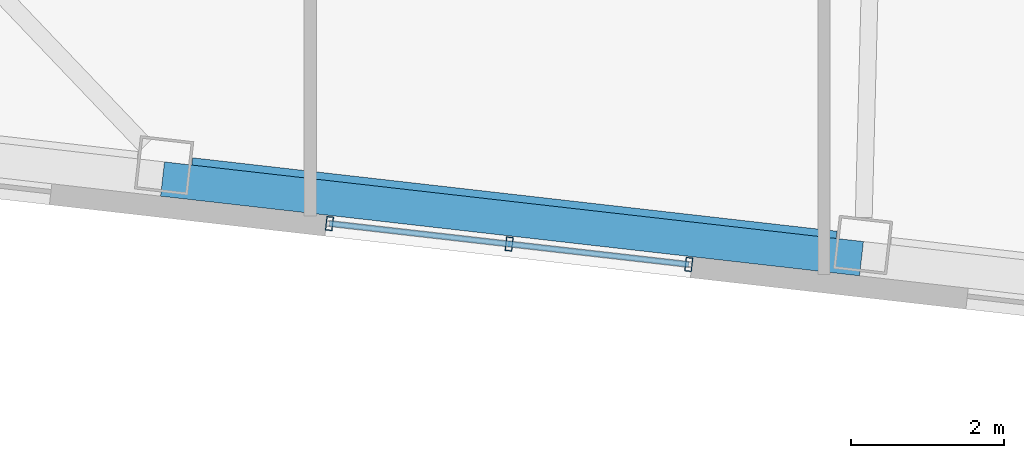
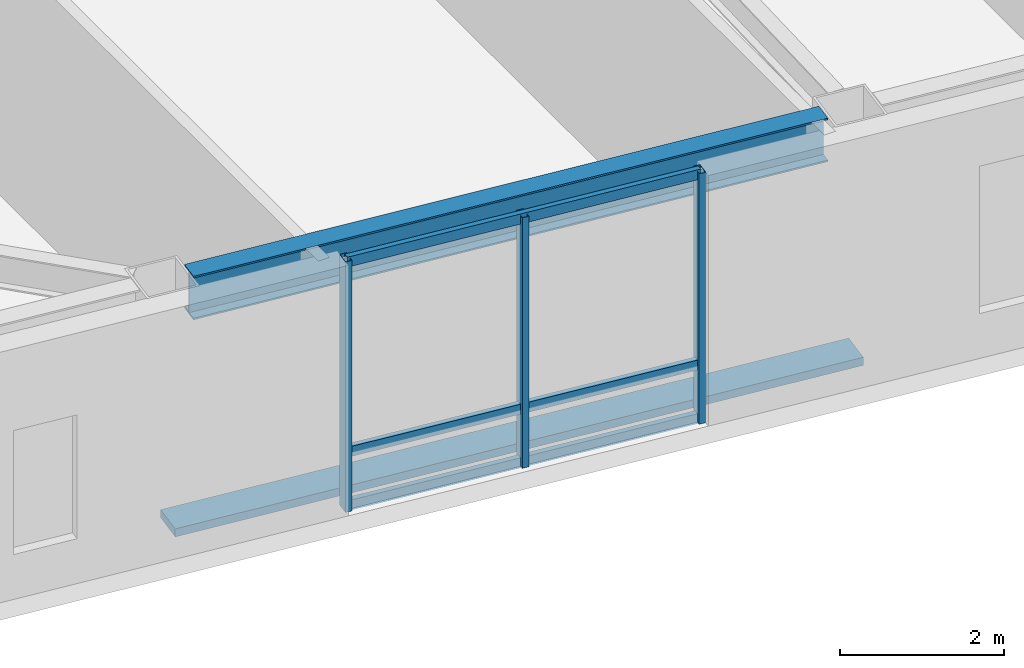
# One storey, part 2 of 21: 7 members, 1 beam, 1 element without a shape of its own.
"""IFC4 building model written with IfcOpenShell, lengths in metres."""

from ifc_helpers import new_model, si_unit, direction, frame, origin, origin_2d, place, context, subcontext, project, spatial, rectangle, hollow_rectangle, i_section, extrude, material, layer, layer_set, material_profile, profile_set, type_object, element, aggregate, save


model = new_model("IFC4")

# Units and contexts
model_context = context("Model", 3, precision=1e-05, world=origin(), true_north=direction((0.0, 1.0)))
body_context = subcontext(model_context, "Body", "Model", "MODEL_VIEW")
ifc_project = project(units=[si_unit("LENGTHUNIT", "METRE"), si_unit("AREAUNIT", "SQUARE_METRE"), si_unit("VOLUMEUNIT", "CUBIC_METRE"), si_unit("PLANEANGLEUNIT", "RADIAN"), si_unit("MASSUNIT", "GRAM", prefix="KILO")], contexts=[model_context])

# Site, building, storey
site_placement = place(None, origin())
site = spatial("IfcSite", under=ifc_project, at=site_placement, CompositionType="ELEMENT")
building_placement = place(site_placement, origin())
building = spatial("IfcBuilding", under=site, at=building_placement, Name="Tavrogorsk Clinical Tower", CompositionType="ELEMENT")
storey_placement = place(building_placement, frame((0.0, 0.0, 137.39990234375)))
storey = spatial("IfcBuildingStorey", under=building, at=storey_placement, Name="L31", CompositionType="ELEMENT", Elevation=137.39990234375)

# Member
ifc_material_1 = material(Name="Anodised aluminium alloy AW-6063", Category="aluminium")
ifc_material_profile_1 = material_profile(ifc_material_1, rectangle(XDim=0.449951171875, YDim=0.1201171875, at=origin_2d()), Name="ALU-SUNSHADE-450x120")
ifc_profile_set_1 = profile_set([ifc_material_profile_1], Name="Anodised aluminium alloy AW-6063")
member_type_1 = type_object("IfcMemberType", Name="ChicagoSunshade_450x120", PredefinedType="USERDEFINED", material=ifc_profile_set_1)
member_1_placement = place(storey_placement, frame((-14.028076171875, -24.385498046875, 0.18017578125), z_axis=(0.993572654864, -0.113196199166, 0.0), x_axis=(0.113196199166, 0.993572654864, 0.0)))
element("IfcMember", 1, at=member_1_placement, inside=storey, type_object=member_type_1, Name="L31 South Aluminium Sunshade S3", ObjectType="SUNSHADE", PredefinedType="USERDEFINED", context=body_context, shape_type="SweptSolid", body=[
    extrude(rectangle(XDim=0.449951171875, YDim=0.1201171875, at=origin_2d()), origin(), (0.0, 0.0, 1.0), 9.17724609375),
])

# Curtain wall, members
ifc_material_2 = material(Name="Anodised aluminium and triple IGU glazing", Category="aluminium")
ifc_layer = layer(ifc_material_2, 0.179931640625)
ifc_layer_set = layer_set([ifc_layer], Name="Anodised aluminium and triple IGU glazing")
curtain_wall_type = type_object("IfcCurtainWallType", Name="CW3_SouthSlot", PredefinedType="NOTDEFINED", material=ifc_layer_set)
curtain_wall_placement = place(storey_placement, origin())
curtain_wall = element("IfcCurtainWall", 2, at=curtain_wall_placement, inside=storey, type_object=curtain_wall_type, Name="L31 Curtain Wall CW-L31-S-SLOT-1", PredefinedType="NOTDEFINED")
ifc_material_3 = material(Name="Anodised aluminium alloy AW-6060", Category="aluminium")
ifc_material_profile_2 = material_profile(ifc_material_3, hollow_rectangle(XDim=0.090087890625, YDim=0.179931640625, WallThickness=0.00634765625, at=origin_2d()), Name="RHS-180x90x6.3")
ifc_profile_set_2 = profile_set([ifc_material_profile_2], Name="Anodised aluminium alloy AW-6060")
member_type_2 = type_object("IfcMemberType", Name="CwMullion_180x90", PredefinedType="MULLION", material=ifc_profile_set_2)
member_2_placement = place(storey_placement, frame((-11.850341796875, -24.9658203125, 0.0), z_axis=(0.0, 0.0, 1.0), x_axis=(0.993571855603, -0.11320321441, 0.0)))
member_2 = element("IfcMember", 3, at=member_2_placement, type_object=member_type_2, Name="CW-L31-S-SLOT-1 Mullion 1", PredefinedType="MULLION", context=body_context, shape_type="SweptSolid", body=[
    extrude(hollow_rectangle(XDim=0.090087890625, YDim=0.179931640625, WallThickness=0.00634765625, at=origin_2d()), origin(), (0.0, 0.0, 1.0), 3.739990234375),
])
member_3_placement = place(storey_placement, frame((-9.50634765625, -25.23291015625, 0.0), z_axis=(0.0, 0.0, 1.0), x_axis=(0.993571855603, -0.11320321441, 0.0)))
member_3 = element("IfcMember", 4, at=member_3_placement, type_object=member_type_2, Name="CW-L31-S-SLOT-1 Mullion 2", PredefinedType="MULLION", context=body_context, shape_type="SweptSolid", body=[
    extrude(hollow_rectangle(XDim=0.090087890625, YDim=0.179931640625, WallThickness=0.00634765625, at=origin_2d()), origin(), (0.0, 0.0, 1.0), 3.739990234375),
])
member_4_placement = place(storey_placement, frame((-7.16259765625, -25.499755859375, 0.0), z_axis=(0.0, 0.0, 1.0), x_axis=(0.993571855603, -0.11320321441, 0.0)))
member_4 = element("IfcMember", 5, at=member_4_placement, type_object=member_type_2, Name="CW-L31-S-SLOT-1 Mullion 3", PredefinedType="MULLION", context=body_context, shape_type="SweptSolid", body=[
    extrude(hollow_rectangle(XDim=0.090087890625, YDim=0.179931640625, WallThickness=0.00634765625, at=origin_2d()), origin(), (0.0, 0.0, 1.0), 3.739990234375),
])
ifc_material_4 = material(Name="Anodised aluminium alloy AW-6060", Category="aluminium")
ifc_material_profile_3 = material_profile(ifc_material_4, hollow_rectangle(XDim=0.074951171875, YDim=0.14990234375, WallThickness=0.0048828125, at=origin_2d()), Name="RHS-150x75x5")
ifc_profile_set_3 = profile_set([ifc_material_profile_3], Name="Anodised aluminium alloy AW-6060")
member_type_3 = type_object("IfcMemberType", Name="CwTransom_150x75", PredefinedType="USERDEFINED", material=ifc_profile_set_3)
member_5_placement = place(storey_placement, frame((-11.850341796875, -24.9658203125, 0.050048828125), z_axis=(0.993575798904, -0.113168599146, 0.0), x_axis=(0.113168599146, 0.993575798904, 0.0)))
member_5 = element("IfcMember", 6, at=member_5_placement, type_object=member_type_3, Name="CW-L31-S-SLOT-1 Transom 1", ObjectType="TRANSOM", PredefinedType="USERDEFINED", context=body_context, shape_type="SweptSolid", body=[
    extrude(hollow_rectangle(XDim=0.074951171875, YDim=0.14990234375, WallThickness=0.0048828125, at=origin_2d()), origin(), (0.0, 0.0, 1.0), 4.718017578125),
])
member_6_placement = place(storey_placement, frame((-11.850341796875, -24.9658203125, 0.85009765625), z_axis=(0.993575798904, -0.113168599146, 0.0), x_axis=(0.113168599146, 0.993575798904, 0.0)))
member_6 = element("IfcMember", 7, at=member_6_placement, type_object=member_type_3, Name="CW-L31-S-SLOT-1 Transom 2", ObjectType="TRANSOM", PredefinedType="USERDEFINED", context=body_context, shape_type="SweptSolid", body=[
    extrude(hollow_rectangle(XDim=0.074951171875, YDim=0.14990234375, WallThickness=0.0048828125, at=origin_2d()), origin(), (0.0, 0.0, 1.0), 4.718017578125),
])
member_7_placement = place(storey_placement, frame((-11.850341796875, -24.9658203125, 3.690185546875), z_axis=(0.993575798904, -0.113168599146, 0.0), x_axis=(0.113168599146, 0.993575798904, 0.0)))
member_7 = element("IfcMember", 8, at=member_7_placement, type_object=member_type_3, Name="CW-L31-S-SLOT-1 Transom 3", ObjectType="TRANSOM", PredefinedType="USERDEFINED", context=body_context, shape_type="SweptSolid", body=[
    extrude(hollow_rectangle(XDim=0.074951171875, YDim=0.14990234375, WallThickness=0.0048828125, at=origin_2d()), origin(), (0.0, 0.0, 1.0), 4.718017578125),
])
aggregate(curtain_wall, [member_2, member_3, member_4, member_5, member_6, member_7])

# Beam
ifc_material_5 = material(Name="Structural steel S390", Category="steel")
ifc_material_profile_4 = material_profile(ifc_material_5, i_section(OverallWidth=0.280029296875, OverallDepth=0.64990234375, WebThickness=0.01611328125, FlangeThickness=0.02490234375, at=origin_2d()), Name="B-650x280x16x25")
ifc_profile_set_4 = profile_set([ifc_material_profile_4], Name="Structural steel S390")
beam_type = type_object("IfcBeamType", Name="SpandrelBeam_B650", PredefinedType="SPANDREL", material=ifc_profile_set_4)
beam_placement = place(storey_placement, frame((-13.652099609375, -24.2470703125, 3.4150390625), z_axis=(0.993569449752, -0.113224328304, 0.0), x_axis=(0.113224328304, 0.993569449752, 0.0)))
element("IfcBeam", 9, at=beam_placement, inside=storey, type_object=beam_type, Name="L31 Perimeter Spandrel S3-S4", PredefinedType="SPANDREL", context=body_context, shape_type="SweptSolid", body=[
    extrude(i_section(OverallWidth=0.280029296875, OverallDepth=0.64990234375, WebThickness=0.01611328125, FlangeThickness=0.02490234375, at=origin_2d()), origin(), (0.0, 0.0, 1.0), 8.461181640625),
])

save(model, "model.ifc")
